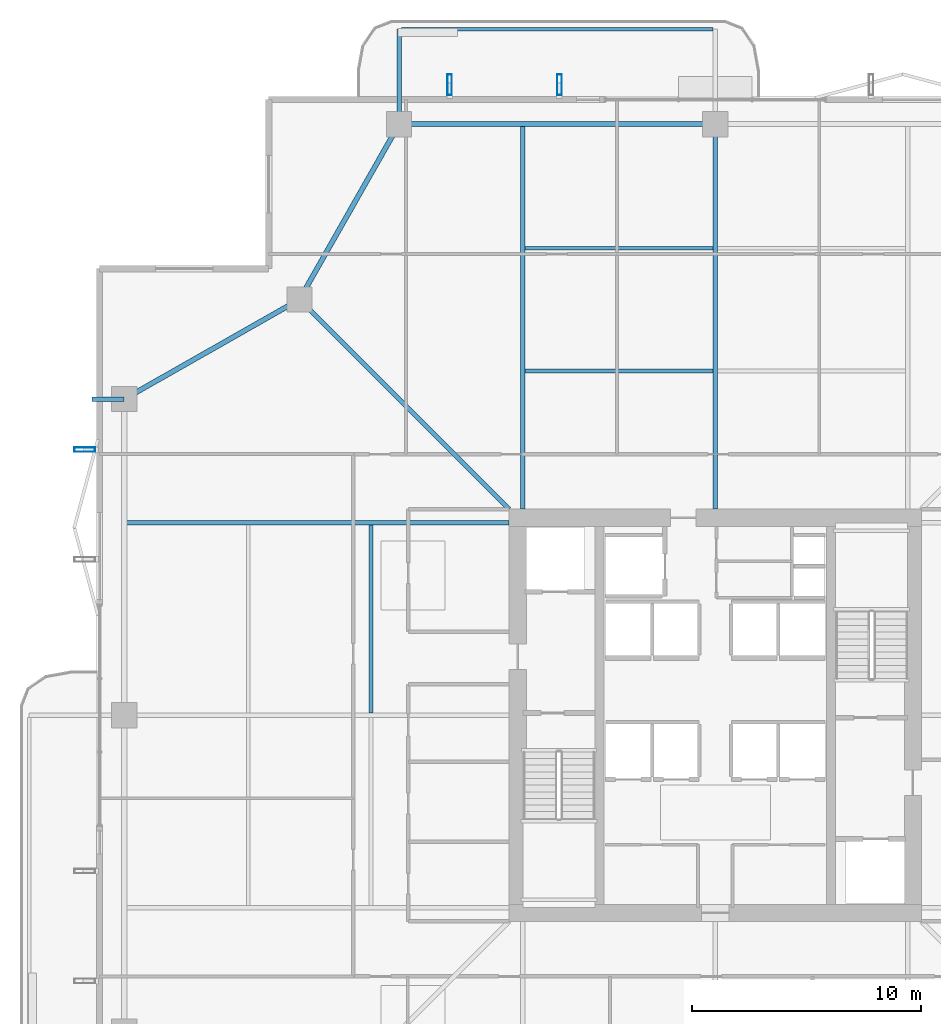
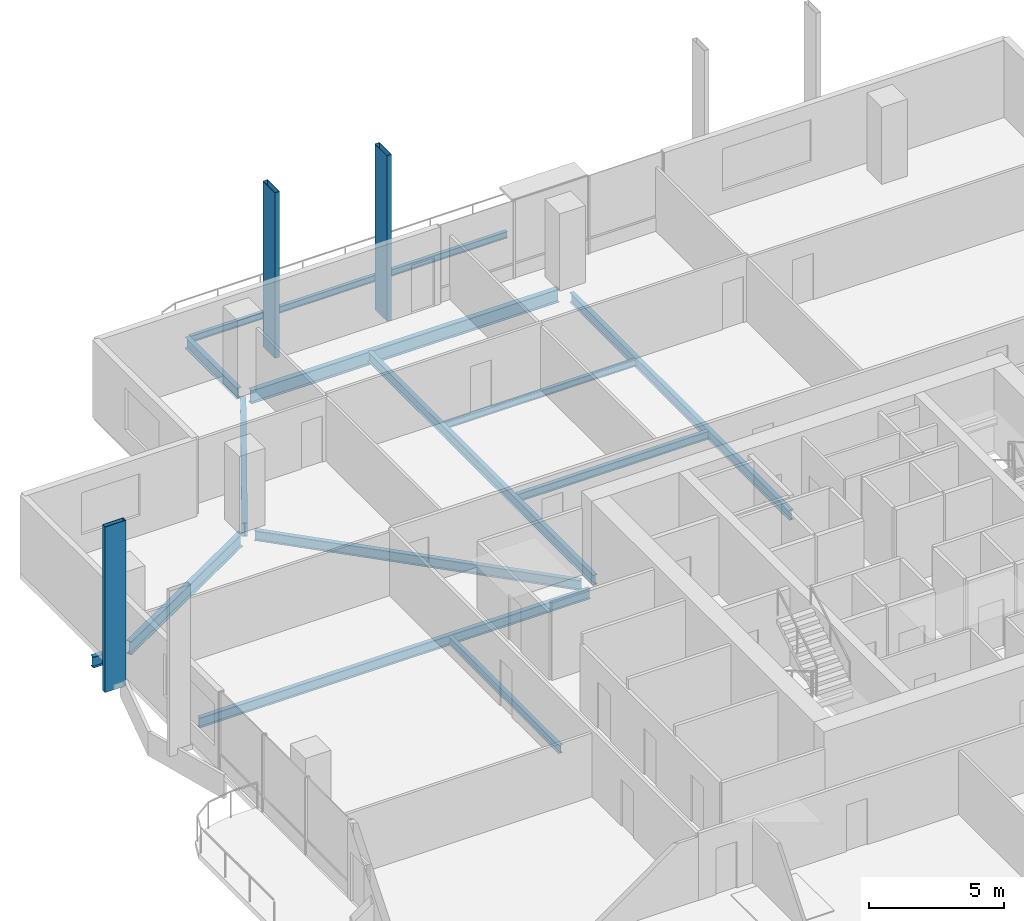
# One storey, part 10 of 24: 13 beams, 3 members.
"""IFC4 building model written with IfcOpenShell, lengths in metres."""

from ifc_helpers import new_model, si_unit, direction, frame, origin, origin_2d, place, context, subcontext, project, spatial, hollow_rectangle, i_section, extrude, material, material_profile, profile_set, type_object, element, save


model = new_model("IFC4")

# Units and contexts
model_context = context("Model", 3, precision=1e-05, world=origin(), true_north=direction((0.0, 1.0)))
body_context = subcontext(model_context, "Body", "Model", "MODEL_VIEW")
ifc_project = project(units=[si_unit("LENGTHUNIT", "METRE"), si_unit("AREAUNIT", "SQUARE_METRE"), si_unit("VOLUMEUNIT", "CUBIC_METRE"), si_unit("PLANEANGLEUNIT", "RADIAN"), si_unit("MASSUNIT", "GRAM", prefix="KILO")], contexts=[model_context])

# Site, building, storey
site_placement = place(None, origin())
site = spatial("IfcSite", under=ifc_project, at=site_placement, CompositionType="ELEMENT")
building_placement = place(site_placement, origin())
building = spatial("IfcBuilding", under=site, at=building_placement, Name="Belovzor Exchange Tower", CompositionType="ELEMENT")
storey_placement = place(building_placement, frame((0.0, 0.0, 233.699951171875)))
storey = spatial("IfcBuildingStorey", under=building, at=storey_placement, Name="L58", CompositionType="ELEMENT", Elevation=233.699951171875)

# Beams
ifc_material_1 = material(Name="Steel S355", Category="steel")
ifc_material_profile_1 = material_profile(ifc_material_1, i_section(OverallWidth=0.199951171875, OverallDepth=0.5, WebThickness=0.01025390625, FlangeThickness=0.01611328125, at=origin_2d()))
ifc_profile_set_1 = profile_set([ifc_material_profile_1], Name="Steel S355")
beam_type_1 = type_object("IfcBeamType", Name="Planted Balcony Cantilever Beam IPE 500", PredefinedType="BEAM", material=ifc_profile_set_1)
beam_1_placement = place(storey_placement, frame((15.0, 54.903076171875, -0.5), z_axis=(0.0, 1.0, 0.0), x_axis=(-1.0, 0.0, 0.0)))
element("IfcBeam", 1, at=beam_1_placement, inside=storey, type_object=beam_type_1, Name="BC-500 Planted Balcony Cantilever Beam IPE 500", PredefinedType="BEAM", context=body_context, shape_type="SweptSolid", body=[
    extrude(i_section(OverallWidth=0.199951171875, OverallDepth=0.5, WebThickness=0.01025390625, FlangeThickness=0.01611328125, at=origin_2d()), origin(), (0.0, 0.0, 1.0), 3.849853515625),
])
beam_2_placement = place(storey_placement, frame((3.0, 42.60009765625, -0.5), z_axis=(-1.0, 0.0, 0.0), x_axis=(0.0, -1.0, 0.0)))
element("IfcBeam", 2, at=beam_2_placement, inside=storey, type_object=beam_type_1, Name="BC-500 Planted Balcony Cantilever Beam IPE 500", PredefinedType="BEAM", context=body_context, shape_type="SweptSolid", body=[
    extrude(i_section(OverallWidth=0.199951171875, OverallDepth=0.5, WebThickness=0.01025390625, FlangeThickness=0.01611328125, at=origin_2d()), origin(), (0.0, 0.0, 1.0), 1.39990234375),
])
ifc_material_2 = material(Name="Steel S355", Category="steel")
ifc_material_profile_2 = material_profile(ifc_material_2, i_section(OverallWidth=0.14990234375, OverallDepth=0.300048828125, WebThickness=0.007080078125, FlangeThickness=0.0107421875, at=origin_2d()))
ifc_profile_set_2 = profile_set([ifc_material_profile_2], Name="Steel S355")
beam_type_2 = type_object("IfcBeamType", Name="Planted Balcony Fascia Edge Beam IPE 300", PredefinedType="BEAM", material=ifc_profile_set_2)
beam_3_placement = place(storey_placement, frame((28.699951171875, 58.7529296875, -0.39990234375), z_axis=(-1.0, 0.0, 0.0), x_axis=(0.0, -1.0, 0.0)))
element("IfcBeam", 3, at=beam_3_placement, inside=storey, type_object=beam_type_2, Name="BC-300 Planted Balcony Fascia Edge Beam IPE 300", PredefinedType="BEAM", context=body_context, shape_type="SweptSolid", body=[
    extrude(i_section(OverallWidth=0.14990234375, OverallDepth=0.300048828125, WebThickness=0.007080078125, FlangeThickness=0.0107421875, at=origin_2d()), origin(), (0.0, 0.0, 1.0), 13.599853515625),
])
ifc_material_3 = material(Name="Steel S355", Category="steel")
ifc_material_profile_3 = material_profile(ifc_material_3, i_section(OverallWidth=0.169921875, OverallDepth=0.360107421875, WebThickness=0.008056640625, FlangeThickness=0.0126953125, at=origin_2d()))
ifc_profile_set_3 = profile_set([ifc_material_profile_3], Name="Steel S355")
beam_type_3 = type_object("IfcBeamType", Name="Secondary Infill Floor Joist IPE 360", PredefinedType="BEAM", material=ifc_profile_set_3)
for number, where, z_axis, x_axis, name in (
    (4, (20.4951171875, 43.827880859375, -0.429931640625), (1.0, 0.0, 0.0), (0.0, 1.0, 0.0), "FJ-360 Secondary Infill Floor Joist IPE 360"),
    (5, (13.77197265625, 28.89501953125, -0.429931640625), (0.0, 1.0, 0.0), (-1.0, 0.0, 0.0), "FJ-360 Secondary Infill Floor Joist IPE 360"),
):
    element("IfcBeam", number, at=place(storey_placement, frame(where, z_axis=z_axis, x_axis=x_axis)), inside=storey, type_object=beam_type_3, Name=name, PredefinedType="BEAM", context=body_context, shape_type="SweptSolid", body=[
        extrude(i_section(OverallWidth=0.169921875, OverallDepth=0.360107421875, WebThickness=0.008056640625, FlangeThickness=0.0126953125, at=origin_2d()), origin(), (0.0, 0.0, 1.0), 8.2099609375),
    ])
ifc_material_4 = material(Name="Steel S355", Category="steel")
ifc_material_profile_4 = material_profile(ifc_material_4, i_section(OverallWidth=0.14990234375, OverallDepth=0.300048828125, WebThickness=0.007080078125, FlangeThickness=0.0107421875, at=origin_2d()))
ifc_profile_set_4 = profile_set([ifc_material_profile_4], Name="Steel S355")
beam_type_4 = type_object("IfcBeamType", Name="Secondary Trim Floor Joist IPE 300", PredefinedType="BEAM", material=ifc_profile_set_4)
beam_4_placement = place(storey_placement, frame((20.4951171875, 49.18701171875, -0.39990234375), z_axis=(1.0, 0.0, 0.0), x_axis=(0.0, 1.0, 0.0)))
element("IfcBeam", 6, at=beam_4_placement, inside=storey, type_object=beam_type_4, Name="FJ-300 Secondary Trim Floor Joist IPE 300", PredefinedType="BEAM", context=body_context, shape_type="SweptSolid", body=[
    extrude(i_section(OverallWidth=0.14990234375, OverallDepth=0.300048828125, WebThickness=0.007080078125, FlangeThickness=0.0107421875, at=origin_2d()), origin(), (0.0, 0.0, 1.0), 8.2099609375),
])

# Members
ifc_material_5 = material(Name="Extruded Architectural Terracotta on Steel S355 Carrier", Category="masonry")
ifc_material_profile_5 = material_profile(ifc_material_5, hollow_rectangle(XDim=0.199951171875, YDim=0.89990234375, WallThickness=0.011962890625, at=origin_2d()))
ifc_profile_set_5 = profile_set([ifc_material_profile_5], Name="Extruded Architectural Terracotta on Steel S355 Carrier")
member_type = type_object("IfcMemberType", Name="Sweeping Terracotta Baguette Fin Assembly 950", PredefinedType="USERDEFINED", material=ifc_profile_set_5)
for number, where, z_axis, x_axis, name in (
    (7, (17.199951171875, 56.324951171875, -0.25), (0.0, 0.0, 1.0), (1.0, 0.0, 0.0), "FIN-TC095 Terracotta Facade Fin L58 N1"),
    (8, (22.0, 56.324951171875, -0.25), (0.0, 0.0, 1.0), (1.0, 0.0, 0.0), "FIN-TC095 Terracotta Facade Fin L58 N2"),
    (9, (1.27490234375, 40.39990234375, -0.25), (0.0, 0.0, 1.0), (0.0, 1.0, 0.0), "FIN-TC095 Terracotta Facade Fin L58 W4"),
):
    element("IfcMember", number, at=place(storey_placement, frame(where, z_axis=z_axis, x_axis=x_axis)), inside=storey, type_object=member_type, Name=name, ObjectType="FIN", PredefinedType="USERDEFINED", context=body_context, shape_type="SweptSolid", body=[
        extrude(hollow_rectangle(XDim=0.199951171875, YDim=0.89990234375, WallThickness=0.011962890625, at=origin_2d()), origin(), (0.0, 0.0, 1.0), 7.5),
    ])

# Beams
ifc_material_6 = material(Name="Steel S355", Category="steel")
ifc_material_profile_6 = material_profile(ifc_material_6, i_section(OverallWidth=0.18994140625, OverallDepth=0.449951171875, WebThickness=0.009521484375, FlangeThickness=0.0146484375, at=origin_2d()))
ifc_profile_set_6 = profile_set([ifc_material_profile_6], Name="Steel S355")
beam_type_5 = type_object("IfcBeamType", Name="Zone 2-4 Radial Composite Floor Beam IPE 450", PredefinedType="BEAM", material=ifc_profile_set_6)
beam_5_placement = place(storey_placement, frame((20.39990234375, 37.800048828125, -0.474853515625), z_axis=(0.0, 1.0, 0.0), x_axis=(-1.0, 0.0, 0.0)))
element("IfcBeam", 10, at=beam_5_placement, inside=storey, type_object=beam_type_5, Name="FB-450 Zone 2-4 Radial Composite Floor Beam IPE 450", PredefinedType="BEAM", context=body_context, shape_type="SweptSolid", body=[
    extrude(i_section(OverallWidth=0.18994140625, OverallDepth=0.449951171875, WebThickness=0.009521484375, FlangeThickness=0.0146484375, at=origin_2d()), origin(), (0.0, 0.0, 1.0), 16.744873046875),
])
beam_6_placement = place(storey_placement, frame((28.800048828125, 37.800048828125, -0.474853515625), z_axis=(0.0, 1.0, 0.0), x_axis=(-1.0, 0.0, 0.0)))
element("IfcBeam", 11, at=beam_6_placement, inside=storey, type_object=beam_type_5, Name="FB-450 Zone 2-4 Radial Composite Floor Beam IPE 450", PredefinedType="BEAM", context=body_context, shape_type="SweptSolid", body=[
    extrude(i_section(OverallWidth=0.18994140625, OverallDepth=0.449951171875, WebThickness=0.009521484375, FlangeThickness=0.0146484375, at=origin_2d()), origin(), (0.0, 0.0, 1.0), 16.31591796875),
])
beam_7_placement = place(storey_placement, frame((19.800048828125, 37.199951171875, -0.474853515625), z_axis=(-1.0, 0.0, 0.0), x_axis=(0.0, -1.0, 0.0)))
element("IfcBeam", 12, at=beam_7_placement, inside=storey, type_object=beam_type_5, Name="FB-450 Zone 2-4 Radial Composite Floor Beam IPE 450", PredefinedType="BEAM", context=body_context, shape_type="SweptSolid", body=[
    extrude(i_section(OverallWidth=0.18994140625, OverallDepth=0.449951171875, WebThickness=0.009521484375, FlangeThickness=0.0146484375, at=origin_2d()), origin(), (0.0, 0.0, 1.0), 16.7451171875),
])
beam_8_placement = place(storey_placement, frame((19.800048828125, 37.800048828125, -0.474853515625), z_axis=(-0.707106781187, 0.707106781187, 0.0), x_axis=(-0.707106781187, -0.707106781187, 0.0)))
element("IfcBeam", 13, at=beam_8_placement, inside=storey, type_object=beam_type_5, Name="FB-450 Zone 2-4 Radial Composite Floor Beam IPE 450", PredefinedType="BEAM", context=body_context, shape_type="SweptSolid", body=[
    extrude(i_section(OverallWidth=0.18994140625, OverallDepth=0.449951171875, WebThickness=0.009521484375, FlangeThickness=0.0146484375, at=origin_2d()), origin(), (0.0, 0.0, 1.0), 12.551025390625),
])
ifc_material_7 = material(Name="Steel S355", Category="steel")
ifc_material_profile_7 = material_profile(ifc_material_7, i_section(OverallWidth=0.219970703125, OverallDepth=0.60009765625, WebThickness=0.011962890625, FlangeThickness=0.01904296875, at=origin_2d()))
ifc_profile_set_7 = profile_set([ifc_material_profile_7], Name="Steel S355")
beam_type_6 = type_object("IfcBeamType", Name="Zone 4 Flare Primary Girder IPE 600", PredefinedType="BEAM", material=ifc_profile_set_7)
beam_9_placement = place(storey_placement, frame((28.498046875, 54.60009765625, -0.550048828125), z_axis=(-1.0, 0.0, 0.0), x_axis=(0.0, -1.0, 0.0)))
element("IfcBeam", 14, at=beam_9_placement, inside=storey, type_object=beam_type_6, Name="FG-Z4 Zone 4 Flare Primary Girder IPE 600", PredefinedType="BEAM", context=body_context, shape_type="SweptSolid", body=[
    extrude(i_section(OverallWidth=0.219970703125, OverallDepth=0.60009765625, WebThickness=0.011962890625, FlangeThickness=0.01904296875, at=origin_2d()), origin(), (0.0, 0.0, 1.0), 13.195068359375),
])
for number, where, z_axis, x_axis, name in (
    (15, (14.85009765625, 54.3369140625, -0.550048828125), (-0.494222323641, -0.869335547884, 0.0), (0.869335547884, -0.494222323641, 0.0), "FG-Z4 Zone 4 Flare Primary Girder IPE 600"),
    (16, (10.386962890625, 46.800048828125, -0.550048828125), (-0.869335547884, -0.494222323641, 0.0), (0.494222323641, -0.869335547884, 0.0), "FG-Z4 Zone 4 Flare Primary Girder IPE 600"),
):
    element("IfcBeam", number, at=place(storey_placement, frame(where, z_axis=z_axis, x_axis=x_axis)), inside=storey, type_object=beam_type_6, Name=name, PredefinedType="BEAM", context=body_context, shape_type="SweptSolid", body=[
        extrude(i_section(OverallWidth=0.219970703125, OverallDepth=0.60009765625, WebThickness=0.011962890625, FlangeThickness=0.01904296875, at=origin_2d()), origin(), (0.0, 0.0, 1.0), 8.19482421875),
    ])

save(model, "model.ifc")
